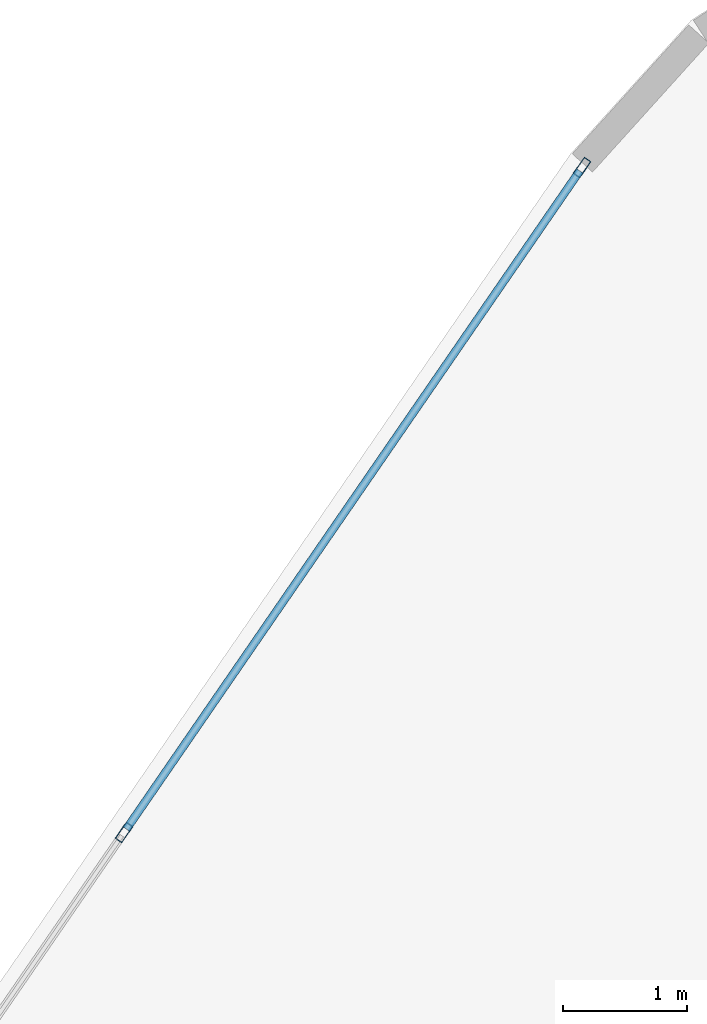
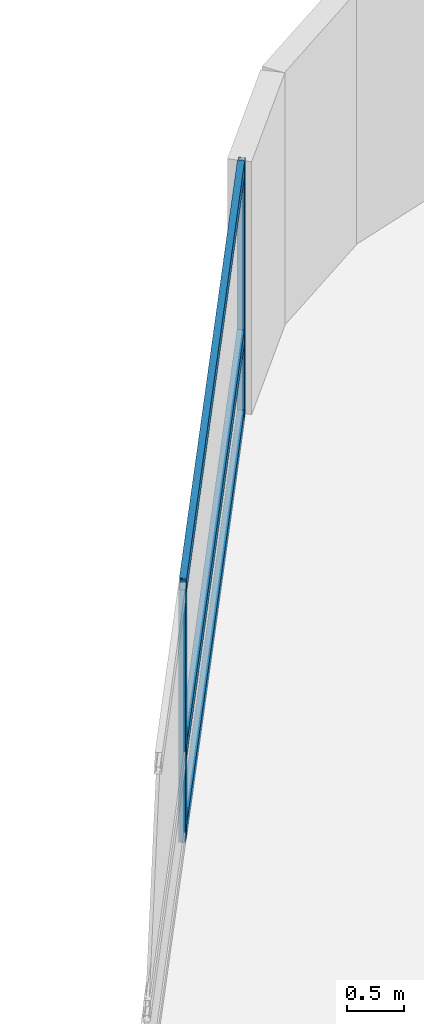
# One storey, part 17 of 27: 5 members, 1 element without a shape of its own.
"""IFC4 building model written with IfcOpenShell, lengths in metres."""

import ifcopenshell
import ifcopenshell.guid

model = None  # the IFC model being written
_history = None  # IfcOwnerHistory: only IFC2X3 demands one
_inside = {}  # id of a spatial element -> (the spatial element, [elements in it])
_under = {}  # id of a project, library or spatial element -> (it, [spatial elements below it])
_declared = {}  # id of a project -> (the project, [libraries it declares])
_typed = {}  # id of a type object -> (the type object, [elements of that type])
_made_of = {}  # id of a material, layer set ... -> (it, [elements and type objects made of it])


def new_model(schema):
    """Start an empty IFC model of exactly this schema.

    Asked for "IFC4X3", IfcOpenShell would pick the latest addendum, in which some entities
    have other attributes; the version numbers below select the first issue.
    IFC2X3 requires an IfcOwnerHistory on every rooted entity: one is made here for all.
    """
    global model, _history
    if schema == "IFC4X3":
        model = ifcopenshell.file(schema_version=(4, 3, 0, 0))
    else:
        model = ifcopenshell.file(schema=schema)
    _inside.clear()
    _under.clear()
    _declared.clear()
    _typed.clear()
    _made_of.clear()
    _history = None
    if model.schema == "IFC2X3":
        org = make("IfcOrganization", Name="unknown")
        user = make(
            "IfcPersonAndOrganization",
            ThePerson=make("IfcPerson", FamilyName="unknown"),
            TheOrganization=org,
        )
        app = make(
            "IfcApplication",
            ApplicationDeveloper=org,
            Version="unknown",
            ApplicationFullName="unknown",
            ApplicationIdentifier="unknown",
        )
        _history = make(
            "IfcOwnerHistory",
            OwningUser=user,
            OwningApplication=app,
            ChangeAction="ADDED",
            CreationDate=0,
        )
    return model


def make(cls, **values):
    """One entity of the class cls with the attributes given. An attribute that is None is left unset."""
    return model.create_entity(
        cls, **{name: value for name, value in values.items() if value is not None}
    )


def rooted(cls, **values):
    """An entity with a GlobalId (a new one), such as an element, a storey or a relation."""
    return make(cls, GlobalId=ifcopenshell.guid.new(), OwnerHistory=_history, **values)


def si_unit(unit_type, name, prefix=None):
    """IfcSIUnit, for example si_unit("LENGTHUNIT", "METRE", prefix="MILLI")."""
    return make("IfcSIUnit", UnitType=unit_type, Prefix=prefix, Name=name)


def assignment(units):
    """IfcUnitAssignment: the units of a project."""
    return None if units is None else make("IfcUnitAssignment", Units=units)


def point(xyz):
    """IfcCartesianPoint."""
    return None if xyz is None else make("IfcCartesianPoint", Coordinates=xyz)


def direction(xyz):
    """IfcDirection."""
    return None if xyz is None else make("IfcDirection", DirectionRatios=xyz)


def frame(location, z_axis=None, x_axis=None):
    """IfcAxis2Placement3D, a coordinate frame: its origin and axes. An axis left out is left unset."""
    return make(
        "IfcAxis2Placement3D",
        Location=point(location),
        Axis=direction(z_axis),
        RefDirection=direction(x_axis),
    )


def frame_2d(location, x_axis=None):
    """IfcAxis2Placement2D, a coordinate frame in the plane: its origin and x axis."""
    return make(
        "IfcAxis2Placement2D", Location=point(location), RefDirection=direction(x_axis)
    )


def origin():
    """The frame at (0, 0, 0) with its axes left unset."""
    return frame((0.0, 0.0, 0.0))


def origin_2d():
    """The frame at (0, 0) in the plane with its x axis left unset."""
    return frame_2d((0.0, 0.0))


def place(relative_to, where):
    """IfcLocalPlacement: puts the frame where relative to a parent placement (None: the world)."""
    return make(
        "IfcLocalPlacement", PlacementRelTo=relative_to, RelativePlacement=where
    )


def context(
    kind, dimensions, precision=None, world=None, true_north=None, identifier=None
):
    """IfcGeometricRepresentationContext, for example the 3D "Model" context."""
    return make(
        "IfcGeometricRepresentationContext",
        ContextIdentifier=identifier,
        ContextType=kind,
        CoordinateSpaceDimension=dimensions,
        Precision=precision,
        WorldCoordinateSystem=world,
        TrueNorth=true_north,
    )


def subcontext(parent, identifier, kind, view, scale=None):
    """IfcGeometricRepresentationSubContext, for example "Body" below "Model"."""
    return make(
        "IfcGeometricRepresentationSubContext",
        ContextIdentifier=identifier,
        ContextType=kind,
        ParentContext=parent,
        TargetScale=scale,
        TargetView=view,
    )


def project(units=None, contexts=None):
    """IfcProject with its units and contexts."""
    return rooted(
        "IfcProject",
        Name="project",
        RepresentationContexts=contexts,
        UnitsInContext=assignment(units),
    )


def spatial(cls, under=None, at=None, **own):
    """A site, building, storey or space (cls), placed at a placement, below another one or the project."""
    s = rooted(cls, ObjectPlacement=at, **own)
    if under is not None:
        _under.setdefault(under.id(), (under, []))[1].append(s)
    return s


def profile(cls, at=None, kind="AREA", **sizes):
    """A parametric profile (cls). Its sizes go by their IFC names, for example OverallWidth=200.0."""
    return make(cls, ProfileType=kind, Position=at, **sizes)


def hollow_rectangle(**sizes):
    """IfcRectangleHollowProfileDef."""
    return profile("IfcRectangleHollowProfileDef", **sizes)


def extrude(swept, where, along, depth):
    """IfcExtrudedAreaSolid: the profile swept, set in the frame where, extruded along a direction by depth."""
    return make(
        "IfcExtrudedAreaSolid",
        SweptArea=swept,
        Position=where,
        ExtrudedDirection=direction(along),
        Depth=depth,
    )


def shape(context_of_items, identifier, shape_type, items):
    """IfcShapeRepresentation: the items that make up one representation, for example the "Body"."""
    return make(
        "IfcShapeRepresentation",
        ContextOfItems=context_of_items,
        RepresentationIdentifier=identifier,
        RepresentationType=shape_type,
        Items=items,
    )


def material(Name=None, Category=None):
    """IfcMaterial."""
    return make("IfcMaterial", Name=Name, Category=Category)


def layer(
    of_material, thickness, ventilated=None, Name=None, Category=None, Priority=None
):
    """IfcMaterialLayer: one layer of a wall or slab, of a material (None: an air gap)."""
    return make(
        "IfcMaterialLayer",
        Material=of_material,
        LayerThickness=thickness,
        IsVentilated=ventilated,
        Name=Name,
        Category=Category,
        Priority=Priority,
    )


def layer_set(layers, Name=None):
    """IfcMaterialLayerSet."""
    return make("IfcMaterialLayerSet", MaterialLayers=layers, LayerSetName=Name)


def material_profile(
    of_material, cross_section, Name=None, Category=None, Priority=None
):
    """IfcMaterialProfile: a cross section and its material."""
    return make(
        "IfcMaterialProfile",
        Name=Name,
        Material=of_material,
        Profile=cross_section,
        Priority=Priority,
        Category=Category,
    )


def profile_set(profiles, Name=None, composite=None):
    """IfcMaterialProfileSet."""
    return make(
        "IfcMaterialProfileSet",
        Name=Name,
        MaterialProfiles=profiles,
        CompositeProfile=composite,
    )


def made_of(thing, what):
    """Note that an element or type object is made of a material, layer set ...; save() writes the relation."""
    if what is not None:
        _made_of.setdefault(what.id(), (what, []))[1].append(thing)
    return thing


def type_object(cls, material=None, **own):
    """A type object (cls), such as IfcWallType, which elements share."""
    return made_of(rooted(cls, **own), material)


def element(
    cls,
    number,
    at=None,
    inside=None,
    cuts=None,
    type_object=None,
    material=None,
    context=None,
    identifier="Body",
    shape_type=None,
    held_by="IfcProductDefinitionShape",
    body=None,
    shapes=None,
    **own,
):
    """One element of the class cls, such as IfcWall. Its Tag is "e" and its number.

    at: its placement. inside: the storey or other place that contains it. cuts: it is an
    opening in that element (IfcRelVoidsElement). A single representation is given by context,
    identifier, shape_type and body (its items); several are given by shapes. held_by: the class
    of the entity that holds the representations. save() writes the other relations.
    """
    e = rooted(cls, Tag="e%d" % number, ObjectPlacement=at, **own)
    if body is not None:
        shapes = [shape(context, identifier, shape_type, body)]
    if shapes is not None:
        e.Representation = make(held_by, Representations=shapes)
    if inside is not None:
        _inside.setdefault(inside.id(), (inside, []))[1].append(e)
    if cuts is not None:
        rooted(
            "IfcRelVoidsElement", RelatingBuildingElement=cuts, RelatedOpeningElement=e
        )
    if type_object is not None:
        _typed.setdefault(type_object.id(), (type_object, []))[1].append(e)
    return made_of(e, material)


def aggregate(whole, parts):
    """IfcRelAggregates: a whole, such as a stair, and the parts it consists of."""
    return rooted("IfcRelAggregates", RelatingObject=whole, RelatedObjects=parts)


def save(model, path):
    """Write the relations noted so far, then the file.

    IfcRelAggregates (storeys below a building ...), IfcRelContainedInSpatialStructure (elements
    in a storey), IfcRelDefinesByType, IfcRelAssociatesMaterial and IfcRelDeclares: one each for
    every whole, place, type object, material and project.
    """
    for whole, parts in _under.values():
        aggregate(whole, parts)
    for where, things in _inside.values():
        rooted(
            "IfcRelContainedInSpatialStructure",
            RelatedElements=things,
            RelatingStructure=where,
        )
    for kind, things in _typed.values():
        rooted("IfcRelDefinesByType", RelatedObjects=things, RelatingType=kind)
    for what, things in _made_of.values():
        rooted("IfcRelAssociatesMaterial", RelatedObjects=things, RelatingMaterial=what)
    for by, libraries in _declared.values():
        rooted("IfcRelDeclares", RelatingContext=by, RelatedDefinitions=libraries)
    model.write(path)


model = new_model("IFC4")

# Units and contexts
model_context = context("Model", 3, precision=1e-05, world=origin(), true_north=direction((0.0, 1.0)))
body_context = subcontext(model_context, "Body", "Model", "MODEL_VIEW")
ifc_project = project(units=[si_unit("LENGTHUNIT", "METRE"), si_unit("AREAUNIT", "SQUARE_METRE"), si_unit("VOLUMEUNIT", "CUBIC_METRE"), si_unit("PLANEANGLEUNIT", "RADIAN"), si_unit("MASSUNIT", "GRAM", prefix="KILO")], contexts=[model_context])

# Site, building, storey
site_placement = place(None, origin())
site = spatial("IfcSite", under=ifc_project, at=site_placement, CompositionType="ELEMENT")
building_placement = place(site_placement, origin())
building = spatial("IfcBuilding", under=site, at=building_placement, Name="Varnelok Gate Tower", CompositionType="ELEMENT")
storey_placement = place(building_placement, frame((0.0, 0.0, 30.699951171875)))
storey = spatial("IfcBuildingStorey", under=building, at=storey_placement, Name="L06", CompositionType="ELEMENT", Elevation=30.699951171875)

# Curtain wall, members
ifc_material = material(Name="Anodized Aluminum Alloy 6063-T6", Category="aluminium")
ifc_layer = layer(ifc_material, 0.179931640625)
ifc_layer_set = layer_set([ifc_layer], Name="Anodized Aluminum Alloy 6063-T6")
curtain_wall_type = type_object("IfcCurtainWallType", Name="CW3-HOTEL-VISION", PredefinedType="USERDEFINED", material=ifc_layer_set)
curtain_wall_placement = place(storey_placement, origin())
curtain_wall = element("IfcCurtainWall", 1, at=curtain_wall_placement, inside=storey, type_object=curtain_wall_type, Name="L06 West End Vision Curtain Wall", ObjectType="UNITISED CURTAIN WALL", PredefinedType="USERDEFINED")
ifc_material_profile_1 = material_profile(ifc_material, hollow_rectangle(XDim=0.06494140625, YDim=0.159912109375, WallThickness=0.00390625, at=origin_2d()), Name="ALU160X65X4")
ifc_profile_set_1 = profile_set([ifc_material_profile_1], Name="Anodized Aluminum Alloy 6063-T6")
member_type_1 = type_object("IfcMemberType", Name="CW-MULL-160", PredefinedType="MULLION", material=ifc_profile_set_1)
member_1_placement = place(storey_placement, frame((14.48291015625, 58.273193359375, 0.0), z_axis=(0.0, 0.0, 1.0), x_axis=(-0.823532685111, 0.567268822124, 0.0)))
member_1 = element("IfcMember", 2, at=member_1_placement, type_object=member_type_1, Name="CW3 mullion 6", PredefinedType="MULLION", context=body_context, shape_type="SweptSolid", body=[
    extrude(hollow_rectangle(XDim=0.06494140625, YDim=0.159912109375, WallThickness=0.00390625, at=origin_2d()), origin(), (0.0, 0.0, 1.0), 2.72998046875),
])
member_2_placement = place(storey_placement, frame((18.189453125, 63.654296875, 0.0), z_axis=(0.0, 0.0, 1.0), x_axis=(-0.823532685111, 0.567268822124, 0.0)))
member_2 = element("IfcMember", 3, at=member_2_placement, type_object=member_type_1, Name="CW3 mullion 7", PredefinedType="MULLION", context=body_context, shape_type="SweptSolid", body=[
    extrude(hollow_rectangle(XDim=0.06494140625, YDim=0.159912109375, WallThickness=0.00390625, at=origin_2d()), origin(), (0.0, 0.0, 1.0), 2.72998046875),
])
ifc_material_profile_2 = material_profile(ifc_material, hollow_rectangle(XDim=0.06494140625, YDim=0.159912109375, WallThickness=0.00390625, at=origin_2d()), Name="ALU160X65X4")
ifc_profile_set_2 = profile_set([ifc_material_profile_2], Name="Anodized Aluminum Alloy 6063-T6")
member_type_2 = type_object("IfcMemberType", Name="CW-TRAN-160", PredefinedType="USERDEFINED", material=ifc_profile_set_2)
member_3_placement = place(storey_placement, frame((14.50146484375, 58.300048828125, 0.032470703125), z_axis=(0.567255754851, 0.823541686006, 0.0), x_axis=(-0.823541686006, 0.567255754851, 0.0)))
member_3 = element("IfcMember", 4, at=member_3_placement, type_object=member_type_2, Name="CW3 transom 6.1", ObjectType="TRANSOM", PredefinedType="USERDEFINED", context=body_context, shape_type="SweptSolid", body=[
    extrude(hollow_rectangle(XDim=0.06494140625, YDim=0.159912109375, WallThickness=0.00390625, at=origin_2d()), origin(), (0.0, 0.0, 1.0), 6.46923828125),
])
member_4_placement = place(storey_placement, frame((14.50146484375, 58.300048828125, 0.900146484375), z_axis=(0.567255754851, 0.823541686006, 0.0), x_axis=(-0.823541686006, 0.567255754851, 0.0)))
member_4 = element("IfcMember", 5, at=member_4_placement, type_object=member_type_2, Name="CW3 transom 6.2", ObjectType="TRANSOM", PredefinedType="USERDEFINED", context=body_context, shape_type="SweptSolid", body=[
    extrude(hollow_rectangle(XDim=0.06494140625, YDim=0.159912109375, WallThickness=0.00390625, at=origin_2d()), origin(), (0.0, 0.0, 1.0), 6.46923828125),
])
member_5_placement = place(storey_placement, frame((14.50146484375, 58.300048828125, 2.697509765625), z_axis=(0.567255754851, 0.823541686006, 0.0), x_axis=(-0.823541686006, 0.567255754851, 0.0)))
member_5 = element("IfcMember", 6, at=member_5_placement, type_object=member_type_2, Name="CW3 transom 6.3", ObjectType="TRANSOM", PredefinedType="USERDEFINED", context=body_context, shape_type="SweptSolid", body=[
    extrude(hollow_rectangle(XDim=0.06494140625, YDim=0.159912109375, WallThickness=0.00390625, at=origin_2d()), origin(), (0.0, 0.0, 1.0), 6.46923828125),
])
aggregate(curtain_wall, [member_1, member_2, member_3, member_4, member_5])

save(model, "model.ifc")
